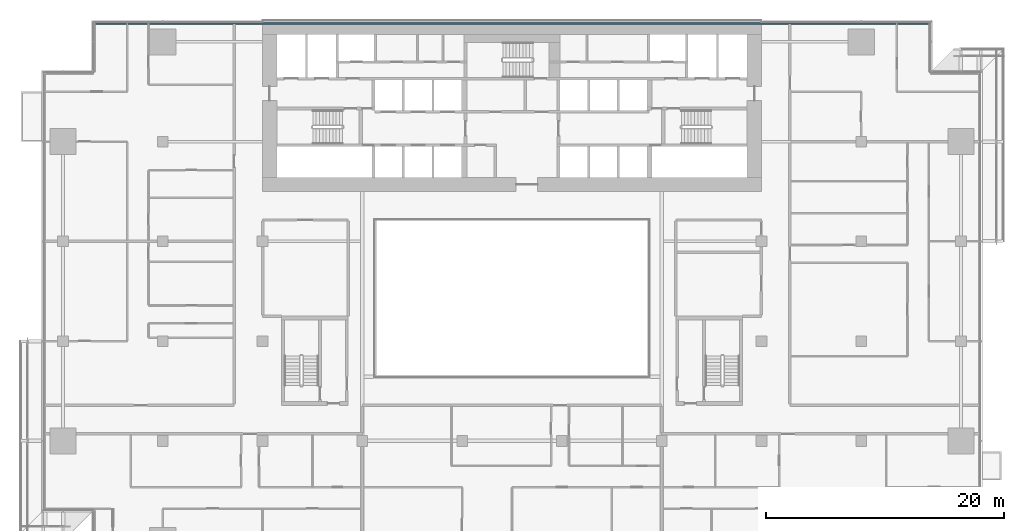
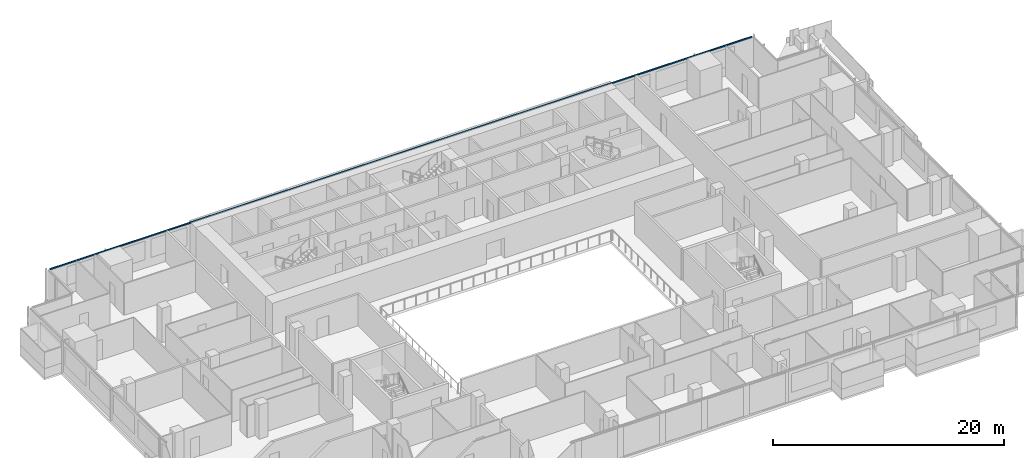
# One storey, part 9 of 29: 1 member, 1 element without a shape of its own.
"""IFC4 building model written with IfcOpenShell, lengths in metres."""

from ifc_helpers import new_model, si_unit, direction, frame, origin, origin_2d, place, context, subcontext, project, spatial, rectangle, extrude, material, material_profile, profile_set, type_object, element, aggregate, save


model = new_model("IFC4")

# Units and contexts
model_context = context("Model", 3, precision=1e-05, world=origin(), true_north=direction((0.0, 1.0)))
body_context = subcontext(model_context, "Body", "Model", "MODEL_VIEW")
ifc_project = project(units=[si_unit("LENGTHUNIT", "METRE"), si_unit("AREAUNIT", "SQUARE_METRE"), si_unit("VOLUMEUNIT", "CUBIC_METRE"), si_unit("PLANEANGLEUNIT", "RADIAN"), si_unit("MASSUNIT", "GRAM", prefix="KILO")], contexts=[model_context])

# Site, building, storey
site_placement = place(None, origin())
site = spatial("IfcSite", under=ifc_project, at=site_placement, CompositionType="ELEMENT")
building_placement = place(site_placement, origin())
building = spatial("IfcBuilding", under=site, at=building_placement, Name="Saffron Gate Tower", CompositionType="ELEMENT")
storey_placement = place(building_placement, frame((0.0, 0.0, 55.199951171875)))
storey = spatial("IfcBuildingStorey", under=building, at=storey_placement, Name="L12", CompositionType="ELEMENT", Elevation=55.199951171875)

# Curtain wall, member
ifc_material = material(Name="Aluminium, bronze anodised", Category="aluminium")
curtain_wall_type = type_object("IfcCurtainWallType", Name="CWS3 curtain wall rear facade", PredefinedType="NOTDEFINED", material=ifc_material)
curtain_wall_placement = place(storey_placement, origin())
curtain_wall = element("IfcCurtainWall", 1, at=curtain_wall_placement, inside=storey, type_object=curtain_wall_type, Name="CWS3 run 7", PredefinedType="NOTDEFINED")
ifc_material_profile = material_profile(ifc_material, rectangle(XDim=0.1201171875, YDim=0.1201171875, at=origin_2d()))
ifc_profile_set = profile_set([ifc_material_profile], Name="Aluminium, bronze anodised")
member_type = type_object("IfcMemberType", Name="CWS3 head transom", PredefinedType="USERDEFINED", material=ifc_profile_set)
member_placement = place(storey_placement, frame((122.632080078125, 75.35205078125, 3.260009765625), z_axis=(-1.0, 0.0, 0.0), x_axis=(0.0, -1.0, 0.0)))
member = element("IfcMember", 2, at=member_placement, type_object=member_type, Name="CWS3 head transom", ObjectType="TRANSOM", PredefinedType="USERDEFINED", context=body_context, shape_type="SweptSolid", body=[
    extrude(rectangle(XDim=0.1201171875, YDim=0.1201171875, at=origin_2d()), origin(), (0.0, 0.0, 1.0), 70.06396484375),
])
aggregate(curtain_wall, [member])

save(model, "model.ifc")
